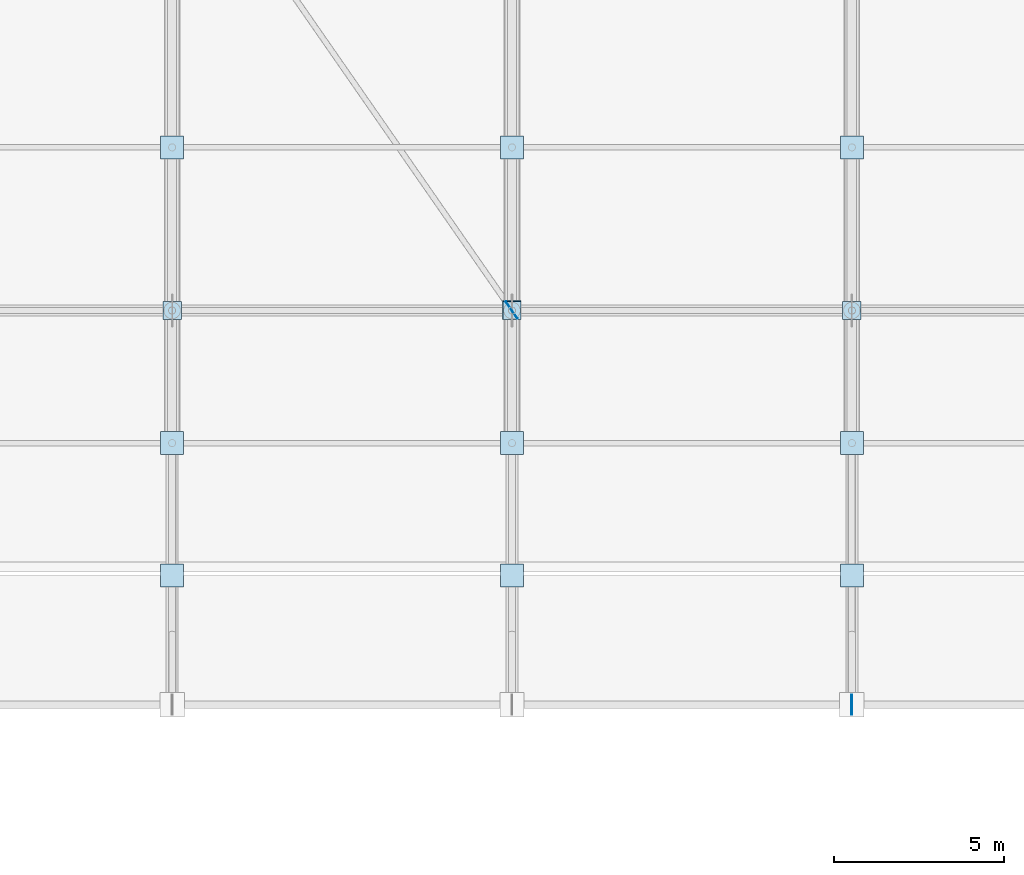
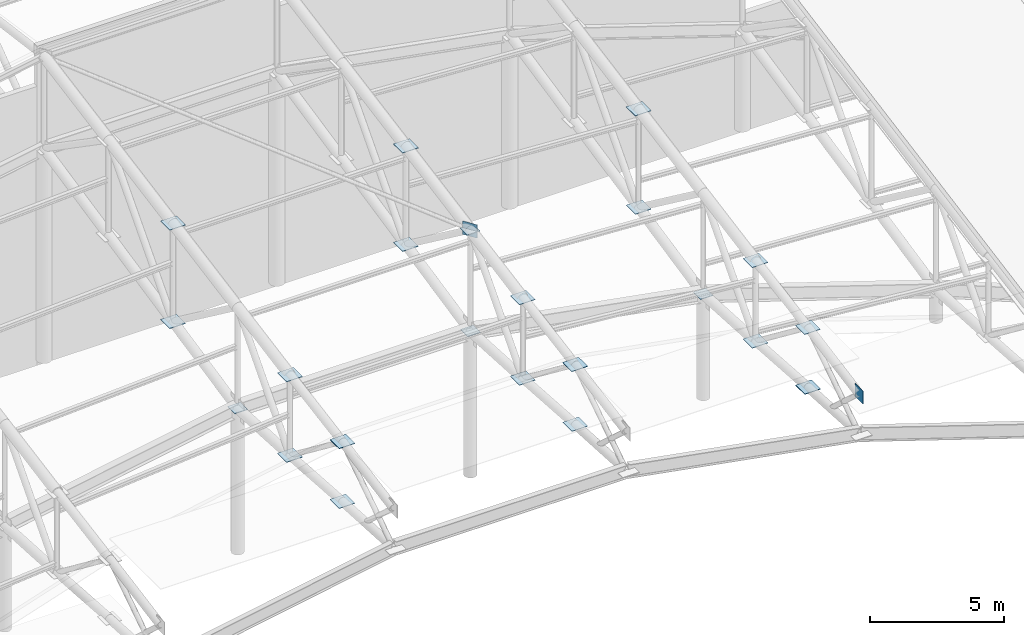
# One storey, part 134 of 146: 24 plates.
"""IFC4 building model written with IfcOpenShell, lengths in metres."""

from ifc_helpers import new_model, si_unit, direction, frame, origin, origin_2d, place, context, subcontext, project, spatial, rectangle, extrude, material, layer, layer_set, type_object, element, save


model = new_model("IFC4")

# Units and contexts
model_context = context("Model", 3, precision=1e-05, world=origin(), true_north=direction((0.0, 1.0)))
body_context = subcontext(model_context, "Body", "Model", "MODEL_VIEW")
ifc_project = project(units=[si_unit("LENGTHUNIT", "METRE"), si_unit("AREAUNIT", "SQUARE_METRE"), si_unit("VOLUMEUNIT", "CUBIC_METRE"), si_unit("PLANEANGLEUNIT", "RADIAN"), si_unit("MASSUNIT", "GRAM", prefix="KILO")], contexts=[model_context])

# Site, building, storey
site_placement = place(None, origin())
site = spatial("IfcSite", under=ifc_project, at=site_placement, CompositionType="ELEMENT")
building_placement = place(site_placement, origin())
building = spatial("IfcBuilding", under=site, at=building_placement, Name="Candeia Ridge Stadium", CompositionType="ELEMENT")
storey_placement = place(building_placement, frame((0.0, 0.0, 31.800048828125)))
storey = spatial("IfcBuildingStorey", under=building, at=storey_placement, Name="RF", CompositionType="ELEMENT", Elevation=31.800048828125)

# Plates
ifc_material = material(Name="Steel ASTM A572 Grade 50", Category="steel")
ifc_layer_1 = layer(ifc_material, 0.02490234375, Name="Steel ASTM A572 Grade 50", Category="steel")
ifc_layer_set_1 = layer_set([ifc_layer_1], Name="Steel ASTM A572 Grade 50")
plate_type_1 = type_object("IfcPlateType", Name="Hollow Section End Closure Plate CP1", PredefinedType="SHEET", material=ifc_layer_set_1)
for number, where, z_axis, x_axis, name in (
    (1, (121.0, 132.60009765625, 4.672607421875), (0.0, 0.0, 1.0), (1.0, 0.0, 0.0), "Hollow section end closure plate MCAP-T-BC-MD-02"),
    (2, (111.0, 132.60009765625, 6.48779296875), (0.0, 0.0, 1.0), (1.0, 0.0, 0.0), "Hollow section end closure plate MCAP-T-BC-MD-03"),
    (3, (101.0, 132.60009765625, 6.48779296875), (0.0, 0.0, 1.0), (1.0, 0.0, 0.0), "Hollow section end closure plate MCAP-T-BC-MD-04"),
):
    element("IfcPlate", number, at=place(storey_placement, frame(where, z_axis=z_axis, x_axis=x_axis)), inside=storey, type_object=plate_type_1, Name=name, PredefinedType="SHEET", context=body_context, shape_type="SweptSolid", body=[
        extrude(rectangle(XDim=0.5400390625, YDim=0.5400390625, at=origin_2d()), origin(), (0.0, 0.0, 1.0), 0.02490234375),
    ])
ifc_layer_2 = layer(ifc_material, 0.02490234375, Name="Steel ASTM A572 Grade 50", Category="steel")
ifc_layer_set_2 = layer_set([ifc_layer_2], Name="Steel ASTM A572 Grade 50")
plate_type_2 = type_object("IfcPlateType", Name="Hollow Section End Closure Plate CP3", PredefinedType="SHEET", material=ifc_layer_set_2)
for number, where, z_axis, x_axis, name in (
    (4, (121.0, 124.800048828125, 7.879638671875), (0.0, 0.0, 1.0), (1.0, 0.0, 0.0), "Hollow section end closure plate NCAP-T-02-1"),
    (5, (121.0, 124.800048828125, 5.16259765625), (0.0, 0.0, 1.0), (1.0, 0.0, 0.0), "Hollow section end closure plate NCAP-B-02-1"),
    (6, (121.0, 128.699951171875, 8.55126953125), (0.0, 0.0, 1.0), (1.0, 0.0, 0.0), "Hollow section end closure plate NCAP-T-02-2"),
    (7, (121.0, 128.699951171875, 4.892578125), (0.0, 0.0, 1.0), (1.0, 0.0, 0.0), "Hollow section end closure plate NCAP-B-02-2"),
    (8, (121.0, 137.39990234375, 10.16064453125), (0.0, 0.0, 1.0), (1.0, 0.0, 0.0), "Hollow section end closure plate NCAP-T-02-4"),
    (9, (121.0, 137.39990234375, 5.694091796875), (0.0, 0.0, 1.0), (1.0, 0.0, 0.0), "Hollow section end closure plate NCAP-B-02-4"),
    (10, (111.0, 124.800048828125, 9.69482421875), (0.0, 0.0, 1.0), (1.0, 0.0, 0.0), "Hollow section end closure plate NCAP-T-03-1"),
    (11, (111.0, 124.800048828125, 6.9775390625), (0.0, 0.0, 1.0), (1.0, 0.0, 0.0), "Hollow section end closure plate NCAP-B-03-1"),
    (12, (111.0, 128.699951171875, 10.3662109375), (0.0, 0.0, 1.0), (1.0, 0.0, 0.0), "Hollow section end closure plate NCAP-T-03-2"),
    (13, (111.0, 128.699951171875, 6.707763671875), (0.0, 0.0, 1.0), (1.0, 0.0, 0.0), "Hollow section end closure plate NCAP-B-03-2"),
    (14, (111.0, 137.39990234375, 11.975830078125), (0.0, 0.0, 1.0), (1.0, 0.0, 0.0), "Hollow section end closure plate NCAP-T-03-4"),
    (15, (111.0, 137.39990234375, 7.509033203125), (0.0, 0.0, 1.0), (1.0, 0.0, 0.0), "Hollow section end closure plate NCAP-B-03-4"),
):
    element("IfcPlate", number, at=place(storey_placement, frame(where, z_axis=z_axis, x_axis=x_axis)), inside=storey, type_object=plate_type_2, Name=name, PredefinedType="SHEET", context=body_context, shape_type="SweptSolid", body=[
        extrude(rectangle(XDim=0.679931640625, YDim=0.679931640625, at=origin_2d()), origin(), (0.0, 0.0, 1.0), 0.02490234375),
    ])
plate_placement = place(storey_placement, frame((110.98876953125, 132.6162109375, 11.0908203125), z_axis=(0.0, 0.0, 1.0), x_axis=(1.0, 0.0, 0.0)))
element("IfcPlate", 16, at=plate_placement, inside=storey, type_object=plate_type_2, Name="Hollow section end closure plate WBCAP-A-03", PredefinedType="SHEET", context=body_context, shape_type="SweptSolid", body=[
    extrude(rectangle(XDim=0.550048828125, YDim=0.550048828125, at=origin_2d()), origin(), (0.0, 0.0, 1.0), 0.02490234375),
])
for number, where, z_axis, x_axis, name in (
    (17, (101.0, 124.800048828125, 9.69482421875), (0.0, 0.0, 1.0), (1.0, 0.0, 0.0), "Hollow section end closure plate NCAP-T-04-1"),
    (18, (101.0, 124.800048828125, 6.9775390625), (0.0, 0.0, 1.0), (1.0, 0.0, 0.0), "Hollow section end closure plate NCAP-B-04-1"),
    (19, (101.0, 128.699951171875, 10.3662109375), (0.0, 0.0, 1.0), (1.0, 0.0, 0.0), "Hollow section end closure plate NCAP-T-04-2"),
    (20, (101.0, 128.699951171875, 6.707763671875), (0.0, 0.0, 1.0), (1.0, 0.0, 0.0), "Hollow section end closure plate NCAP-B-04-2"),
    (21, (101.0, 137.39990234375, 11.975830078125), (0.0, 0.0, 1.0), (1.0, 0.0, 0.0), "Hollow section end closure plate NCAP-T-04-4"),
    (22, (101.0, 137.39990234375, 7.509033203125), (0.0, 0.0, 1.0), (1.0, 0.0, 0.0), "Hollow section end closure plate NCAP-B-04-4"),
):
    element("IfcPlate", number, at=place(storey_placement, frame(where, z_axis=z_axis, x_axis=x_axis)), inside=storey, type_object=plate_type_2, Name=name, PredefinedType="SHEET", context=body_context, shape_type="SweptSolid", body=[
        extrude(rectangle(XDim=0.679931640625, YDim=0.679931640625, at=origin_2d()), origin(), (0.0, 0.0, 1.0), 0.02490234375),
    ])
ifc_layer_3 = layer(ifc_material, 0.02392578125, Name="Steel ASTM A572 Grade 50", Category="steel")
ifc_layer_set_3 = layer_set([ifc_layer_3], Name="Steel ASTM A572 Grade 50")
plate_type_3 = type_object("IfcPlateType", Name="Roof Truss Chord-Web Node Gusset ND-3", PredefinedType="USERDEFINED", material=ifc_layer_set_3)
for number, where, z_axis, x_axis, name in (
    (23, (121.0, 121.0, 6.88916015625), (0.0, 0.0, 1.0), (0.0, 1.0, 0.0), "Roof truss tip gusset node ND-3 bay 03"),
    (24, (110.98876953125, 132.6162109375, 10.80322265625), (0.0, 0.0, 1.0), (-0.570395359839, 0.821370277934, 0.0), "Roof wind brace end gusset A bay 04"),
):
    element("IfcPlate", number, at=place(storey_placement, frame(where, z_axis=z_axis, x_axis=x_axis)), inside=storey, type_object=plate_type_3, Name=name, ObjectType="GUSSET PLATE", PredefinedType="USERDEFINED", context=body_context, shape_type="SweptSolid", body=[
        extrude(rectangle(XDim=0.60009765625, YDim=0.02392578125, at=origin_2d()), origin(), (0.0, 0.0, 1.0), 0.60009765625),
    ])

save(model, "model.ifc")
